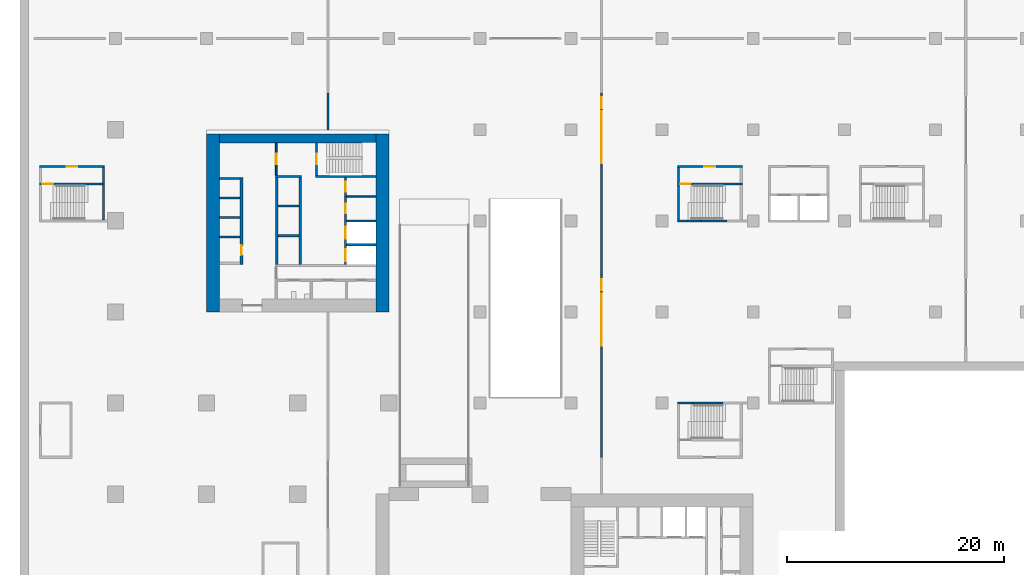
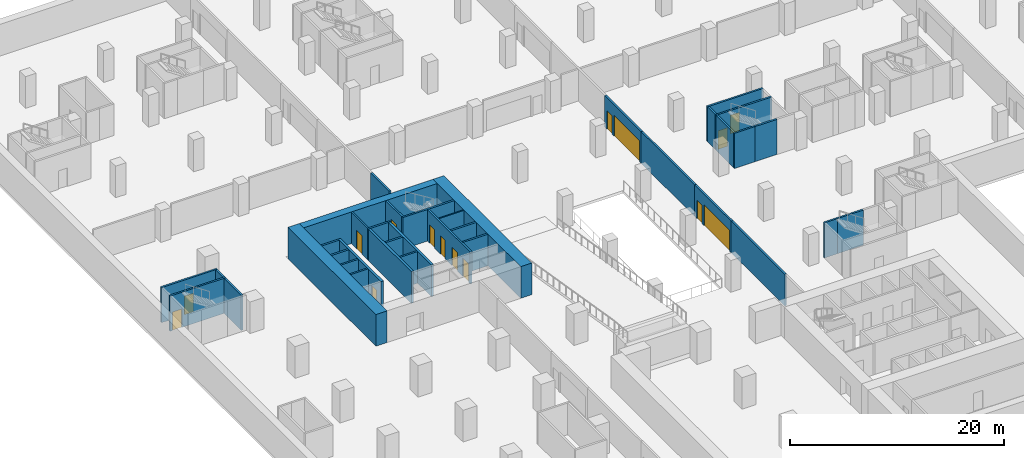
# One storey, part 6 of 18: 37 walls, 15 doors, 15 openings.
"""IFC4 building model written with IfcOpenShell, lengths in metres."""

from ifc_helpers import new_model, si_unit, direction, frame, frame_2d, origin, place, context, subcontext, project, spatial, rectangle, extrude, material, layer, layer_set, type_object, element, fill, save


model = new_model("IFC4")

# Units and contexts
model_context = context("Model", 3, precision=1e-05, world=origin(), true_north=direction((0.0, 1.0)))
body_context = subcontext(model_context, "Body", "Model", "MODEL_VIEW")
ifc_project = project(units=[si_unit("LENGTHUNIT", "METRE"), si_unit("AREAUNIT", "SQUARE_METRE"), si_unit("VOLUMEUNIT", "CUBIC_METRE"), si_unit("PLANEANGLEUNIT", "RADIAN"), si_unit("MASSUNIT", "GRAM", prefix="KILO")], contexts=[model_context])

# Site, building, storey
site_placement = place(None, origin())
site = spatial("IfcSite", under=ifc_project, at=site_placement, CompositionType="ELEMENT")
building_placement = place(site_placement, origin())
building = spatial("IfcBuilding", under=site, at=building_placement, Name="Vermilion Gate Residences", CompositionType="ELEMENT")
storey_placement = place(building_placement, frame((0.0, 0.0, -4.0)))
storey = spatial("IfcBuildingStorey", under=building, at=storey_placement, Name="B1", CompositionType="ELEMENT", Elevation=-4.0)

# Wall
ifc_material_1 = material(Name="Masonry blockwork", Category="masonry")
ifc_layer_1 = layer(ifc_material_1, 0.14990234375)
ifc_layer_set_1 = layer_set([ifc_layer_1], Name="BLOCKWORK PARTITION 150 EI 120")
wall_type_1 = type_object("IfcWallType", Name="BLOCKWORK PARTITION 150 EI 120", PredefinedType="PARTITIONING", material=ifc_layer_set_1)
wall_1_placement = place(storey_placement, frame((21.300048828125, 52.637451171875, 0.0), z_axis=(0.0, 0.0, 1.0), x_axis=(1.0, 0.0, 0.0)))
element("IfcWall", 1, at=wall_1_placement, inside=storey, type_object=wall_type_1, Name="Core room partition BB1-NR-P0", PredefinedType="PARTITIONING", context=body_context, shape_type="SweptSolid", body=[
    extrude(rectangle(XDim=2.699951171875, YDim=0.14990234375, at=frame_2d((1.35009765625, 0.0))), origin(), (0.0, 0.0, 1.0), 3.60009765625),
])

# Wall, opening, door
wall_2_placement = place(storey_placement, frame((14.824951171875, 57.60009765625, 0.0), z_axis=(0.0, 0.0, 1.0), x_axis=(0.0, -1.0, 0.0)))
wall_2 = element("IfcWall", 2, at=wall_2_placement, inside=storey, type_object=wall_type_1, Name="Core room partition BB1-VW-S", PredefinedType="PARTITIONING", context=body_context, shape_type="SweptSolid", body=[
    extrude(rectangle(XDim=3.0, YDim=0.14990234375, at=frame_2d((1.5, 0.0))), origin(), (0.0, 0.0, 1.0), 3.60009765625),
])
opening_1_placement = place(wall_2_placement, frame((1.0, 0.0, 0.0)))
opening_1 = element("IfcOpeningElement", 3, at=opening_1_placement, cuts=wall_2, Name="Opening DKB1107", PredefinedType="OPENING", context=body_context, shape_type="SweptSolid", body=[
    extrude(rectangle(XDim=1.0, YDim=2.10009765625, at=frame_2d((0.5, 1.050048828125))), frame((0.0, 0.0849609375, 0.0), z_axis=(0.0, -1.0, 0.0), x_axis=(1.0, 0.0, 0.0)), (0.0, 0.0, 1.0), 0.169921875),
])
ifc_material_2 = material(Name="Steel", Category="steel")
door_type_1 = type_object("IfcDoorType", Name="FIRE DOOR FD60 1000 X 2100", OperationType="SINGLE_SWING_LEFT", PredefinedType="DOOR", material=ifc_material_2)
door_1_placement = place(opening_1_placement, frame((1.0, 0.0, 0.0), z_axis=(0.0, 0.0, 1.0), x_axis=(-1.0, 0.0, 0.0)))
door_1 = element("IfcDoor", 4, at=door_1_placement, inside=storey, type_object=door_type_1, Name="Stair vestibule door BB1", OperationType="SINGLE_SWING_RIGHT", OverallHeight=2.10009765625, OverallWidth=1.0, PredefinedType="DOOR", context=body_context, shape_type="SweptSolid", body=[
    extrude(rectangle(XDim=1.0, YDim=2.10009765625, at=frame_2d((0.5, 1.050048828125))), frame((0.0, 0.02490234375, 0.0), z_axis=(0.0, -1.0, 0.0), x_axis=(1.0, 0.0, 0.0)), (0.0, 0.0, 1.0), 0.050048828125),
])
fill(opening_1, door_1)

# Walls
ifc_material_3 = material(Name="Concrete blockwork", Category="masonry")
ifc_layer_2 = layer(ifc_material_3, 0.199951171875)
ifc_layer_set_2 = layer_set([ifc_layer_2], Name="GARAGE FIRE WALL 200 EI 120 (AMENITY)")
wall_type_2 = type_object("IfcWallType", Name="GARAGE FIRE WALL 200 EI 120 (AMENITY)", PredefinedType="PARTITIONING", material=ifc_layer_set_2)
wall_3_placement = place(storey_placement, frame((19.60009765625, 58.800048828125, 0.0), z_axis=(0.0, 0.0, 1.0), x_axis=(0.0, 1.0, 0.0)))
element("IfcWall", 5, at=wall_3_placement, inside=storey, type_object=wall_type_2, Name="Fire compartment wall", PredefinedType="PARTITIONING", context=body_context, shape_type="SweptSolid", body=[
    extrude(rectangle(XDim=3.39990234375, YDim=0.199951171875, at=frame_2d((1.699951171875, 0.0))), origin(), (0.0, 0.0, 1.0), 3.60009765625),
])
wall_4_placement = place(storey_placement, frame((44.800048828125, 28.60009765625, 0.0), z_axis=(0.0, 0.0, 1.0), x_axis=(0.0, 1.0, 0.0)))
element("IfcWall", 6, at=wall_4_placement, inside=storey, type_object=wall_type_2, Name="Fire compartment wall", PredefinedType="PARTITIONING", context=body_context, shape_type="SweptSolid", body=[
    extrude(rectangle(XDim=10.0, YDim=0.199951171875, at=frame_2d((5.0, 0.0))), origin(), (0.0, 0.0, 1.0), 3.60009765625),
])

# Wall, openings, doors
wall_5_placement = place(storey_placement, frame((44.800048828125, 38.60009765625, 0.0), z_axis=(0.0, 0.0, 1.0), x_axis=(0.0, 1.0, 0.0)))
wall_5 = element("IfcWall", 7, at=wall_5_placement, inside=storey, type_object=wall_type_2, Name="Fire compartment wall", PredefinedType="PARTITIONING", context=body_context, shape_type="SweptSolid", body=[
    extrude(rectangle(XDim=6.7998046875, YDim=0.199951171875, at=frame_2d((3.39990234375, 0.0))), origin(), (0.0, 0.0, 1.0), 3.60009765625),
])
opening_2_placement = place(wall_5_placement, frame((0.300048828125, 0.0, 0.0)))
opening_2 = element("IfcOpeningElement", 8, at=opening_2_placement, cuts=wall_5, Name="Opening DGB1009", PredefinedType="OPENING", context=body_context, shape_type="SweptSolid", body=[
    extrude(rectangle(XDim=4.800048828125, YDim=2.39990234375, at=frame_2d((2.39990234375, 1.199951171875))), frame((0.0, 0.10986328125, 0.0), z_axis=(0.0, -1.0, 0.0), x_axis=(1.0, 0.0, 0.0)), (0.0, 0.0, 1.0), 0.219970703125),
])
opening_3_placement = place(wall_5_placement, frame((5.39990234375, 0.0, 0.0)))
opening_3 = element("IfcOpeningElement", 9, at=opening_3_placement, cuts=wall_5, Name="Opening DGB1010", PredefinedType="OPENING", context=body_context, shape_type="SweptSolid", body=[
    extrude(rectangle(XDim=1.0, YDim=2.10009765625, at=frame_2d((0.5, 1.050048828125))), frame((0.0, 0.10986328125, 0.0), z_axis=(0.0, -1.0, 0.0), x_axis=(1.0, 0.0, 0.0)), (0.0, 0.0, 1.0), 0.219970703125),
])
ifc_material_4 = material(Name="Steel", Category="steel")
door_type_2 = type_object("IfcDoorType", Name="DOOR 1000 X 2100 FD120 (AMENITY)", OperationType="SINGLE_SWING_LEFT", PredefinedType="DOOR", material=ifc_material_4)
door_2_placement = place(opening_3_placement, frame((1.0, 0.0, 0.0), z_axis=(0.0, 0.0, 1.0), x_axis=(-1.0, 0.0, 0.0)))
door_2 = element("IfcDoor", 10, at=door_2_placement, inside=storey, type_object=door_type_2, Name="Fire door", OperationType="SINGLE_SWING_RIGHT", OverallHeight=2.10009765625, OverallWidth=1.0, PredefinedType="DOOR", context=body_context, shape_type="SweptSolid", body=[
    extrude(rectangle(XDim=1.0, YDim=2.10009765625, at=frame_2d((0.5, 1.050048828125))), frame((0.0, 0.02490234375, 0.0), z_axis=(0.0, -1.0, 0.0), x_axis=(1.0, 0.0, 0.0)), (0.0, 0.0, 1.0), 0.050048828125),
])
fill(opening_3, door_2)
ifc_material_5 = material(Name="Steel", Category="steel")
door_type_3 = type_object("IfcDoorType", Name="FIRE SHUTTER 4800 X 2400 (AMENITY)", OperationType="ROLLINGUP", PredefinedType="GATE", material=ifc_material_5)
door_3_placement = place(opening_2_placement, origin())
door_3 = element("IfcDoor", 11, at=door_3_placement, inside=storey, type_object=door_type_3, Name="Fire shutter", OperationType="ROLLINGUP", OverallHeight=2.39990234375, OverallWidth=4.800048828125, PredefinedType="GATE", context=body_context, shape_type="SweptSolid", body=[
    extrude(rectangle(XDim=4.800048828125, YDim=2.39990234375, at=frame_2d((2.39990234375, 1.199951171875))), frame((0.0, 0.02490234375, 0.0), z_axis=(0.0, -1.0, 0.0), x_axis=(1.0, 0.0, 0.0)), (0.0, 0.0, 1.0), 0.050048828125),
])
fill(opening_2, door_3)

# Wall
wall_6_placement = place(storey_placement, frame((44.800048828125, 45.39990234375, 0.0), z_axis=(0.0, 0.0, 1.0), x_axis=(0.0, 1.0, 0.0)))
element("IfcWall", 12, at=wall_6_placement, inside=storey, type_object=wall_type_2, Name="Fire compartment wall", PredefinedType="PARTITIONING", context=body_context, shape_type="SweptSolid", body=[
    extrude(rectangle(XDim=10.0, YDim=0.199951171875, at=frame_2d((5.0, 0.0))), origin(), (0.0, 0.0, 1.0), 3.60009765625),
])

# Wall, openings, doors
wall_7_placement = place(storey_placement, frame((44.800048828125, 55.39990234375, 0.0), z_axis=(0.0, 0.0, 1.0), x_axis=(0.0, 1.0, 0.0)))
wall_7 = element("IfcWall", 13, at=wall_7_placement, inside=storey, type_object=wall_type_2, Name="Fire compartment wall", PredefinedType="PARTITIONING", context=body_context, shape_type="SweptSolid", body=[
    extrude(rectangle(XDim=6.800048828125, YDim=0.199951171875, at=frame_2d((3.39990234375, 0.0))), origin(), (0.0, 0.0, 1.0), 3.60009765625),
])
opening_4_placement = place(wall_7_placement, frame((0.300048828125, 0.0, 0.0)))
opening_4 = element("IfcOpeningElement", 14, at=opening_4_placement, cuts=wall_7, Name="Opening DGB1011", PredefinedType="OPENING", context=body_context, shape_type="SweptSolid", body=[
    extrude(rectangle(XDim=4.800048828125, YDim=2.39990234375, at=frame_2d((2.39990234375, 1.199951171875))), frame((0.0, 0.10986328125, 0.0), z_axis=(0.0, -1.0, 0.0), x_axis=(1.0, 0.0, 0.0)), (0.0, 0.0, 1.0), 0.219970703125),
])
opening_5_placement = place(wall_7_placement, frame((5.39990234375, 0.0, 0.0)))
opening_5 = element("IfcOpeningElement", 15, at=opening_5_placement, cuts=wall_7, Name="Opening DGB1012", PredefinedType="OPENING", context=body_context, shape_type="SweptSolid", body=[
    extrude(rectangle(XDim=1.0, YDim=2.10009765625, at=frame_2d((0.5, 1.050048828125))), frame((0.0, 0.10986328125, 0.0), z_axis=(0.0, -1.0, 0.0), x_axis=(1.0, 0.0, 0.0)), (0.0, 0.0, 1.0), 0.219970703125),
])
door_4_placement = place(opening_5_placement, frame((1.0, 0.0, 0.0), z_axis=(0.0, 0.0, 1.0), x_axis=(-1.0, 0.0, 0.0)))
door_4 = element("IfcDoor", 16, at=door_4_placement, inside=storey, type_object=door_type_2, Name="Fire door", OperationType="SINGLE_SWING_RIGHT", OverallHeight=2.10009765625, OverallWidth=1.0, PredefinedType="DOOR", context=body_context, shape_type="SweptSolid", body=[
    extrude(rectangle(XDim=1.0, YDim=2.10009765625, at=frame_2d((0.5, 1.050048828125))), frame((0.0, 0.02490234375, 0.0), z_axis=(0.0, -1.0, 0.0), x_axis=(1.0, 0.0, 0.0)), (0.0, 0.0, 1.0), 0.050048828125),
])
fill(opening_5, door_4)
door_5_placement = place(opening_4_placement, origin())
door_5 = element("IfcDoor", 17, at=door_5_placement, inside=storey, type_object=door_type_3, Name="Fire shutter", OperationType="ROLLINGUP", OverallHeight=2.39990234375, OverallWidth=4.800048828125, PredefinedType="GATE", context=body_context, shape_type="SweptSolid", body=[
    extrude(rectangle(XDim=4.800048828125, YDim=2.39990234375, at=frame_2d((2.39990234375, 1.199951171875))), frame((0.0, 0.02490234375, 0.0), z_axis=(0.0, -1.0, 0.0), x_axis=(1.0, 0.0, 0.0)), (0.0, 0.0, 1.0), 0.050048828125),
])
fill(opening_4, door_5)

# Walls
ifc_material_6 = material(Name="Concrete C60", Category="concrete")
ifc_layer_3 = layer(ifc_material_6, 0.199951171875)
ifc_layer_set_3 = layer_set([ifc_layer_3], Name="RC CORE INTERNAL WALL 200 C60")
wall_type_3 = type_object("IfcWallType", Name="RC CORE INTERNAL WALL 200 C60", PredefinedType="SHEAR", material=ifc_layer_set_3)
for number, where, z_axis, x_axis, name in (
    (18, (9.60009765625, 54.300048828125, 0.0), (0.0, 0.0, 1.0), (1.0, 0.0, 0.0), "Core internal wall BB1-LR-D0"),
    (19, (9.60009765625, 52.5, 0.0), (0.0, 0.0, 1.0), (1.0, 0.0, 0.0), "Core internal wall BB1-LR-D1"),
    (20, (9.60009765625, 50.699951171875, 0.0), (0.0, 0.0, 1.0), (1.0, 0.0, 0.0), "Core internal wall BB1-LR-D2"),
    (21, (9.60009765625, 48.89990234375, 0.0), (0.0, 0.0, 1.0), (1.0, 0.0, 0.0), "Core internal wall BB1-LR-D3"),
    (22, (15.0, 51.7666015625, 0.0), (0.0, 0.0, 1.0), (1.0, 0.0, 0.0), "Core internal wall BB1-HR-D1"),
    (23, (15.0, 49.033447265625, 0.0), (0.0, 0.0, 1.0), (1.0, 0.0, 0.0), "Core internal wall BB1-HR-D2"),
):
    element("IfcWall", number, at=place(storey_placement, frame(where, z_axis=z_axis, x_axis=x_axis)), inside=storey, type_object=wall_type_3, Name=name, PredefinedType="SHEAR", context=body_context, shape_type="SweptSolid", body=[
        extrude(rectangle(XDim=1.89990234375, YDim=0.199951171875, at=frame_2d((0.949951171875, 0.0))), origin(), (0.0, 0.0, 1.0), 3.60009765625),
    ])
for number, where, z_axis, x_axis, name in (
    (24, (21.300048828125, 50.39990234375, 0.0), (0.0, 0.0, 1.0), (1.0, 0.0, 0.0), "Core internal wall BB1-FF-D0"),
    (25, (21.300048828125, 48.199951171875, 0.0), (0.0, 0.0, 1.0), (1.0, 0.0, 0.0), "Core internal wall BB1-FF-D1"),
):
    element("IfcWall", number, at=place(storey_placement, frame(where, z_axis=z_axis, x_axis=x_axis)), inside=storey, type_object=wall_type_3, Name=name, PredefinedType="SHEAR", context=body_context, shape_type="SweptSolid", body=[
        extrude(rectangle(XDim=2.699951171875, YDim=0.199951171875, at=frame_2d((1.35009765625, 0.0))), origin(), (0.0, 0.0, 1.0), 3.60009765625),
    ])

# Wall, openings, doors
wall_8_placement = place(storey_placement, frame((21.199951171875, 54.39990234375, 0.0), z_axis=(0.0, 0.0, 1.0), x_axis=(0.0, -1.0, 0.0)))
wall_8 = element("IfcWall", 26, at=wall_8_placement, inside=storey, type_object=wall_type_3, Name="Core internal wall BB1-FF-F", PredefinedType="SHEAR", context=body_context, shape_type="SweptSolid", body=[
    extrude(rectangle(XDim=8.0, YDim=0.199951171875, at=frame_2d((4.0, 0.0))), origin(), (0.0, 0.0, 1.0), 3.60009765625),
])
opening_6_placement = place(wall_8_placement, frame((0.393798828125, 0.0, 0.0)))
opening_6 = element("IfcOpeningElement", 27, at=opening_6_placement, cuts=wall_8, Name="Opening DKB1103", PredefinedType="OPENING", context=body_context, shape_type="SweptSolid", body=[
    extrude(rectangle(XDim=0.89990234375, YDim=2.10009765625, at=frame_2d((0.449951171875, 1.050048828125))), frame((0.0, 0.10986328125, 0.0), z_axis=(0.0, -1.0, 0.0), x_axis=(1.0, 0.0, 0.0)), (0.0, 0.0, 1.0), 0.219970703125),
])
opening_7_placement = place(wall_8_placement, frame((2.418701171875, 0.0, 0.0)))
opening_7 = element("IfcOpeningElement", 28, at=opening_7_placement, cuts=wall_8, Name="Opening DKB1104", PredefinedType="OPENING", context=body_context, shape_type="SweptSolid", body=[
    extrude(rectangle(XDim=0.89990234375, YDim=2.10009765625, at=frame_2d((0.449951171875, 1.050048828125))), frame((0.0, 0.10986328125, 0.0), z_axis=(0.0, -1.0, 0.0), x_axis=(1.0, 0.0, 0.0)), (0.0, 0.0, 1.0), 0.219970703125),
])
opening_8_placement = place(wall_8_placement, frame((4.550048828125, 0.0, 0.0)))
opening_8 = element("IfcOpeningElement", 29, at=opening_8_placement, cuts=wall_8, Name="Opening LD", PredefinedType="OPENING", context=body_context, shape_type="SweptSolid", body=[
    extrude(rectangle(XDim=1.10009765625, YDim=2.10009765625, at=frame_2d((0.550048828125, 1.050048828125))), frame((0.0, 0.10986328125, 0.0), z_axis=(0.0, -1.0, 0.0), x_axis=(1.0, 0.0, 0.0)), (0.0, 0.0, 1.0), 0.219970703125),
])
opening_9_placement = place(wall_8_placement, frame((6.60009765625, 0.0, 0.0)))
opening_9 = element("IfcOpeningElement", 30, at=opening_9_placement, cuts=wall_8, Name="Opening LD", PredefinedType="OPENING", context=body_context, shape_type="SweptSolid", body=[
    extrude(rectangle(XDim=1.10009765625, YDim=2.10009765625, at=frame_2d((0.550048828125, 1.050048828125))), frame((0.0, 0.10986328125, 0.0), z_axis=(0.0, -1.0, 0.0), x_axis=(1.0, 0.0, 0.0)), (0.0, 0.0, 1.0), 0.219970703125),
])
ifc_material_7 = material(Name="Stainless steel", Category="steel")
door_type_4 = type_object("IfcDoorType", Name="LIFT LANDING DOOR E60 1100 X 2100", OperationType="DOUBLE_DOOR_SLIDING", PredefinedType="DOOR", material=ifc_material_7)
door_6_placement = place(opening_8_placement, origin())
door_6 = element("IfcDoor", 31, at=door_6_placement, inside=storey, type_object=door_type_4, Name="Lift landing door LFB1", OperationType="DOUBLE_DOOR_SLIDING", OverallHeight=2.10009765625, OverallWidth=1.10009765625, PredefinedType="DOOR", context=body_context, shape_type="SweptSolid", body=[
    extrude(rectangle(XDim=1.10009765625, YDim=2.10009765625, at=frame_2d((0.550048828125, 1.050048828125))), frame((0.0, 0.02490234375, 0.0), z_axis=(0.0, -1.0, 0.0), x_axis=(1.0, 0.0, 0.0)), (0.0, 0.0, 1.0), 0.050048828125),
])
fill(opening_8, door_6)
door_7_placement = place(opening_9_placement, origin())
door_7 = element("IfcDoor", 32, at=door_7_placement, inside=storey, type_object=door_type_4, Name="Lift landing door LCB1", OperationType="DOUBLE_DOOR_SLIDING", OverallHeight=2.10009765625, OverallWidth=1.10009765625, PredefinedType="DOOR", context=body_context, shape_type="SweptSolid", body=[
    extrude(rectangle(XDim=1.10009765625, YDim=2.10009765625, at=frame_2d((0.550048828125, 1.050048828125))), frame((0.0, 0.02490234375, 0.0), z_axis=(0.0, -1.0, 0.0), x_axis=(1.0, 0.0, 0.0)), (0.0, 0.0, 1.0), 0.050048828125),
])
fill(opening_9, door_7)
ifc_material_8 = material(Name="Steel", Category="steel")
door_type_5 = type_object("IfcDoorType", Name="SERVICE ROOM DOOR FD60 900 X 2100", OperationType="SINGLE_SWING_LEFT", PredefinedType="DOOR", material=ifc_material_8)
door_8_placement = place(opening_6_placement, origin())
door_8 = element("IfcDoor", 33, at=door_8_placement, inside=storey, type_object=door_type_5, Name="Electrical riser BB1", OperationType="SINGLE_SWING_RIGHT", OverallHeight=2.10009765625, OverallWidth=0.89990234375, PredefinedType="DOOR", context=body_context, shape_type="SweptSolid", body=[
    extrude(rectangle(XDim=0.89990234375, YDim=2.10009765625, at=frame_2d((0.449951171875, 1.050048828125))), frame((0.0, 0.02490234375, 0.0), z_axis=(0.0, -1.0, 0.0), x_axis=(1.0, 0.0, 0.0)), (0.0, 0.0, 1.0), 0.050048828125),
])
fill(opening_6, door_8)
door_9_placement = place(opening_7_placement, origin())
door_9 = element("IfcDoor", 34, at=door_9_placement, inside=storey, type_object=door_type_5, Name="Cleaner's store BB1", OperationType="SINGLE_SWING_RIGHT", OverallHeight=2.10009765625, OverallWidth=0.89990234375, PredefinedType="DOOR", context=body_context, shape_type="SweptSolid", body=[
    extrude(rectangle(XDim=0.89990234375, YDim=2.10009765625, at=frame_2d((0.449951171875, 1.050048828125))), frame((0.0, 0.02490234375, 0.0), z_axis=(0.0, -1.0, 0.0), x_axis=(1.0, 0.0, 0.0)), (0.0, 0.0, 1.0), 0.050048828125),
])
fill(opening_7, door_9)

# Walls
wall_9_placement = place(storey_placement, frame((14.75, 54.5, 0.0), z_axis=(0.0, 0.0, 1.0), x_axis=(1.0, 0.0, 0.0)))
element("IfcWall", 35, at=wall_9_placement, inside=storey, type_object=wall_type_3, Name="Core internal wall BB1-WDIV1", PredefinedType="SHEAR", context=body_context, shape_type="SweptSolid", body=[
    extrude(rectangle(XDim=2.39990234375, YDim=0.199951171875, at=frame_2d((1.199951171875, 0.0))), origin(), (0.0, 0.0, 1.0), 3.60009765625),
])
wall_10_placement = place(storey_placement, frame((18.449951171875, 54.5, 0.0), z_axis=(0.0, 0.0, 1.0), x_axis=(1.0, 0.0, 0.0)))
element("IfcWall", 36, at=wall_10_placement, inside=storey, type_object=wall_type_3, Name="Core internal wall BB1-WDIV2", PredefinedType="SHEAR", context=body_context, shape_type="SweptSolid", body=[
    extrude(rectangle(XDim=5.550048828125, YDim=0.199951171875, at=frame_2d((2.77490234375, 0.0))), origin(), (0.0, 0.0, 1.0), 3.60009765625),
])

# Wall, opening, door
wall_11_placement = place(storey_placement, frame((18.550048828125, 57.60009765625, 0.0), z_axis=(0.0, 0.0, 1.0), x_axis=(0.0, -1.0, 0.0)))
wall_11 = element("IfcWall", 37, at=wall_11_placement, inside=storey, type_object=wall_type_3, Name="Core internal wall BB1-STW-S", PredefinedType="SHEAR", context=body_context, shape_type="SweptSolid", body=[
    extrude(rectangle(XDim=3.0, YDim=0.199951171875, at=frame_2d((1.5, 0.0))), origin(), (0.0, 0.0, 1.0), 3.60009765625),
])
opening_10_placement = place(wall_11_placement, frame((1.0, 0.0, 0.0)))
opening_10 = element("IfcOpeningElement", 38, at=opening_10_placement, cuts=wall_11, Name="Opening DKB1108", PredefinedType="OPENING", context=body_context, shape_type="SweptSolid", body=[
    extrude(rectangle(XDim=1.0, YDim=2.10009765625, at=frame_2d((0.5, 1.050048828125))), frame((0.0, 0.10986328125, 0.0), z_axis=(0.0, -1.0, 0.0), x_axis=(1.0, 0.0, 0.0)), (0.0, 0.0, 1.0), 0.219970703125),
])
door_10_placement = place(opening_10_placement, origin())
door_10 = element("IfcDoor", 39, at=door_10_placement, inside=storey, type_object=door_type_1, Name="Stair door BB1", OperationType="SINGLE_SWING_LEFT", OverallHeight=2.10009765625, OverallWidth=1.0, PredefinedType="DOOR", context=body_context, shape_type="SweptSolid", body=[
    extrude(rectangle(XDim=1.0, YDim=2.10009765625, at=frame_2d((0.5, 1.050048828125))), frame((0.0, 0.02490234375, 0.0), z_axis=(0.0, -1.0, 0.0), x_axis=(1.0, 0.0, 0.0)), (0.0, 0.0, 1.0), 0.050048828125),
])
fill(opening_10, door_10)

# Walls
ifc_material_9 = material(Name="Concrete C80", Category="concrete")
ifc_layer_4 = layer(ifc_material_9, 1.199951171875)
ifc_layer_set_4 = layer_set([ifc_layer_4], Name="RC CORE WALL 1200 C80")
wall_type_4 = type_object("IfcWallType", Name="RC CORE WALL 1200 C80", PredefinedType="SHEAR", material=ifc_layer_set_4)
for number, where, z_axis, x_axis, name in (
    (40, (9.0, 58.39990234375, 0.0), (0.0, 0.0, 1.0), (0.0, -1.0, 0.0), "Core wall BB1-OUT-B0"),
    (41, (24.60009765625, 58.39990234375, 0.0), (0.0, 0.0, 1.0), (0.0, -1.0, 0.0), "Core wall BB1-OUT-B1"),
):
    element("IfcWall", number, at=place(storey_placement, frame(where, z_axis=z_axis, x_axis=x_axis)), inside=storey, type_object=wall_type_4, Name=name, PredefinedType="SHEAR", context=body_context, shape_type="SweptSolid", body=[
        extrude(rectangle(XDim=16.39990234375, YDim=1.199951171875, at=frame_2d((8.199951171875, 0.0))), origin(), (0.0, 0.0, 1.0), 3.60009765625),
    ])
ifc_material_10 = material(Name="Concrete C80", Category="concrete")
ifc_layer_5 = layer(ifc_material_10, 0.800048828125)
ifc_layer_set_5 = layer_set([ifc_layer_5], Name="RC CORE WALL 800 C80")
wall_type_5 = type_object("IfcWallType", Name="RC CORE WALL 800 C80", PredefinedType="SHEAR", material=ifc_layer_set_5)
wall_12_placement = place(storey_placement, frame((9.60009765625, 58.0, 0.0), z_axis=(0.0, 0.0, 1.0), x_axis=(1.0, 0.0, 0.0)))
element("IfcWall", 42, at=wall_12_placement, inside=storey, type_object=wall_type_5, Name="Core wall BB1-OUT-FR", PredefinedType="SHEAR", context=body_context, shape_type="SweptSolid", body=[
    extrude(rectangle(XDim=14.39990234375, YDim=0.800048828125, at=frame_2d((7.199951171875, 0.0))), origin(), (0.0, 0.0, 1.0), 3.60009765625),
])

# Wall, opening, door
ifc_material_11 = material(Name="Concrete C60", Category="concrete")
ifc_layer_6 = layer(ifc_material_11, 0.25)
ifc_layer_set_6 = layer_set([ifc_layer_6], Name="RC LIFT SHAFT WALL 250 C60")
wall_type_6 = type_object("IfcWallType", Name="RC LIFT SHAFT WALL 250 C60", PredefinedType="SHEAR", material=ifc_layer_set_6)
wall_13_placement = place(storey_placement, frame((11.625, 54.39990234375, 0.0), z_axis=(0.0, 0.0, 1.0), x_axis=(0.0, -1.0, 0.0)))
wall_13 = element("IfcWall", 43, at=wall_13_placement, inside=storey, type_object=wall_type_6, Name="Lift shaft wall BB1-LR-F", PredefinedType="SHEAR", context=body_context, shape_type="SweptSolid", body=[
    extrude(rectangle(XDim=8.0, YDim=0.25, at=frame_2d((4.0, 0.0))), origin(), (0.0, 0.0, 1.0), 3.60009765625),
])
opening_11_placement = place(wall_13_placement, frame((6.25, 0.0, 0.0)))
opening_11 = element("IfcOpeningElement", 44, at=opening_11_placement, cuts=wall_13, Name="Opening DKB1102", PredefinedType="OPENING", context=body_context, shape_type="SweptSolid", body=[
    extrude(rectangle(XDim=0.89990234375, YDim=2.10009765625, at=frame_2d((0.449951171875, 1.050048828125))), frame((0.0, 0.135009765625, 0.0), z_axis=(0.0, -1.0, 0.0), x_axis=(1.0, 0.0, 0.0)), (0.0, 0.0, 1.0), 0.27001953125),
])
door_11_placement = place(opening_11_placement, frame((0.89990234375, 0.0, 0.0), z_axis=(0.0, 0.0, 1.0), x_axis=(-1.0, 0.0, 0.0)))
door_11 = element("IfcDoor", 45, at=door_11_placement, inside=storey, type_object=door_type_5, Name="Cleaner's store BB1", OperationType="SINGLE_SWING_RIGHT", OverallHeight=2.10009765625, OverallWidth=0.89990234375, PredefinedType="DOOR", context=body_context, shape_type="SweptSolid", body=[
    extrude(rectangle(XDim=0.89990234375, YDim=2.10009765625, at=frame_2d((0.449951171875, 1.050048828125))), frame((0.0, 0.02490234375, 0.0), z_axis=(0.0, -1.0, 0.0), x_axis=(1.0, 0.0, 0.0)), (0.0, 0.0, 1.0), 0.050048828125),
])
fill(opening_11, door_11)

# Walls
for number, where, z_axis, x_axis, name in (
    (46, (14.875, 54.39990234375, 0.0), (0.0, 0.0, 1.0), (0.0, -1.0, 0.0), "Lift shaft wall BB1-HR-F"),
    (47, (17.02490234375, 54.39990234375, 0.0), (0.0, 0.0, 1.0), (0.0, -1.0, 0.0), "Lift shaft wall BB1-HR-B"),
):
    element("IfcWall", number, at=place(storey_placement, frame(where, z_axis=z_axis, x_axis=x_axis)), inside=storey, type_object=wall_type_6, Name=name, PredefinedType="SHEAR", context=body_context, shape_type="SweptSolid", body=[
        extrude(rectangle(XDim=8.0, YDim=0.25, at=frame_2d((4.0, 0.0))), origin(), (0.0, 0.0, 1.0), 3.60009765625),
    ])

# Wall, opening, door
ifc_material_12 = material(Name="Concrete C40", Category="concrete")
ifc_layer_7 = layer(ifc_material_12, 0.199951171875)
ifc_layer_set_7 = layer_set([ifc_layer_7], Name="RC STAIR AND SHAFT WALL 200 EI 180 C40 (AMENITY)")
wall_type_7 = type_object("IfcWallType", Name="RC STAIR AND SHAFT WALL 200 EI 180 C40 (AMENITY)", PredefinedType="SOLIDWALL", material=ifc_layer_set_7)
wall_14_placement = place(storey_placement, frame((-7.0, 53.800048828125, 0.0), z_axis=(0.0, 0.0, 1.0), x_axis=(1.0, 0.0, 0.0)))
wall_14 = element("IfcWall", 48, at=wall_14_placement, inside=storey, type_object=wall_type_7, Name="Stair and shaft wall 12", PredefinedType="SOLIDWALL", context=body_context, shape_type="SweptSolid", body=[
    extrude(rectangle(XDim=6.0, YDim=0.199951171875, at=frame_2d((3.0, 0.0))), origin(), (0.0, 0.0, 1.0), 4.0),
])
opening_12_placement = place(wall_14_placement, frame((0.25, 0.0, 0.0)))
opening_12 = element("IfcOpeningElement", 49, at=opening_12_placement, cuts=wall_14, Name="Opening DMB1008", PredefinedType="OPENING", context=body_context, shape_type="SweptSolid", body=[
    extrude(rectangle(XDim=1.0, YDim=2.10009765625, at=frame_2d((0.5, 1.050048828125))), frame((0.0, 0.10986328125, 0.0), z_axis=(0.0, -1.0, 0.0), x_axis=(1.0, 0.0, 0.0)), (0.0, 0.0, 1.0), 0.219970703125),
])
ifc_material_13 = material(Name="Steel", Category="steel")
door_type_6 = type_object("IfcDoorType", Name="DOOR 1000 X 2100 FD60 (AMENITY)", OperationType="SINGLE_SWING_LEFT", PredefinedType="DOOR", material=ifc_material_13)
door_12_placement = place(opening_12_placement, frame((1.0, 0.0, 0.0), z_axis=(0.0, 0.0, 1.0), x_axis=(-1.0, 0.0, 0.0)))
door_12 = element("IfcDoor", 50, at=door_12_placement, inside=storey, type_object=door_type_6, Name="Door B1 8", OperationType="SINGLE_SWING_LEFT", OverallHeight=2.10009765625, OverallWidth=1.0, PredefinedType="DOOR", context=body_context, shape_type="SweptSolid", body=[
    extrude(rectangle(XDim=1.0, YDim=2.10009765625, at=frame_2d((0.5, 1.050048828125))), frame((0.0, 0.02490234375, 0.0), z_axis=(0.0, -1.0, 0.0), x_axis=(1.0, 0.0, 0.0)), (0.0, 0.0, 1.0), 0.050048828125),
])
fill(opening_12, door_12)

wall_15_placement = place(storey_placement, frame((-7.0, 55.39990234375, 0.0), z_axis=(0.0, 0.0, 1.0), x_axis=(1.0, 0.0, 0.0)))
wall_15 = element("IfcWall", 51, at=wall_15_placement, inside=storey, type_object=wall_type_7, Name="Stair and shaft wall 13", PredefinedType="SOLIDWALL", context=body_context, shape_type="SweptSolid", body=[
    extrude(rectangle(XDim=6.0, YDim=0.199951171875, at=frame_2d((3.0, 0.0))), origin(), (0.0, 0.0, 1.0), 4.0),
])
opening_13_placement = place(wall_15_placement, frame((2.5, 0.0, 0.0)))
opening_13 = element("IfcOpeningElement", 52, at=opening_13_placement, cuts=wall_15, Name="Opening DMB1007", PredefinedType="OPENING", context=body_context, shape_type="SweptSolid", body=[
    extrude(rectangle(XDim=1.0, YDim=2.10009765625, at=frame_2d((0.5, 1.050048828125))), frame((0.0, 0.10986328125, 0.0), z_axis=(0.0, -1.0, 0.0), x_axis=(1.0, 0.0, 0.0)), (0.0, 0.0, 1.0), 0.219970703125),
])
door_13_placement = place(opening_13_placement, origin())
door_13 = element("IfcDoor", 53, at=door_13_placement, inside=storey, type_object=door_type_6, Name="Door B1 7", OperationType="SINGLE_SWING_LEFT", OverallHeight=2.10009765625, OverallWidth=1.0, PredefinedType="DOOR", context=body_context, shape_type="SweptSolid", body=[
    extrude(rectangle(XDim=1.0, YDim=2.10009765625, at=frame_2d((0.5, 1.050048828125))), frame((0.0, 0.02490234375, 0.0), z_axis=(0.0, -1.0, 0.0), x_axis=(1.0, 0.0, 0.0)), (0.0, 0.0, 1.0), 0.050048828125),
])
fill(opening_13, door_13)

# Walls
wall_16_placement = place(storey_placement, frame((-1.10009765625, 50.5, 0.0), z_axis=(0.0, 0.0, 1.0), x_axis=(0.0, 1.0, 0.0)))
element("IfcWall", 54, at=wall_16_placement, inside=storey, type_object=wall_type_7, Name="Stair and shaft wall 29", PredefinedType="SOLIDWALL", context=body_context, shape_type="SweptSolid", body=[
    extrude(rectangle(XDim=3.199951171875, YDim=0.199951171875, at=frame_2d((1.60009765625, 0.0))), origin(), (0.0, 0.0, 1.0), 4.0),
])
wall_17_placement = place(storey_placement, frame((-1.10009765625, 53.89990234375, 0.0), z_axis=(0.0, 0.0, 1.0), x_axis=(0.0, 1.0, 0.0)))
element("IfcWall", 55, at=wall_17_placement, inside=storey, type_object=wall_type_7, Name="Stair and shaft wall 30", PredefinedType="SOLIDWALL", context=body_context, shape_type="SweptSolid", body=[
    extrude(rectangle(XDim=1.400146484375, YDim=0.199951171875, at=frame_2d((0.7001953125, 0.0))), origin(), (0.0, 0.0, 1.0), 4.0),
])
wall_18_placement = place(storey_placement, frame((51.800048828125, 33.60009765625, 0.0), z_axis=(0.0, 0.0, 1.0), x_axis=(1.0, 0.0, 0.0)))
element("IfcWall", 56, at=wall_18_placement, inside=storey, type_object=wall_type_7, Name="Stair and shaft wall 70", PredefinedType="SOLIDWALL", context=body_context, shape_type="SweptSolid", body=[
    extrude(rectangle(XDim=1.39990234375, YDim=0.199951171875, at=frame_2d((0.699951171875, 0.0))), origin(), (0.0, 0.0, 1.0), 4.0),
])
wall_19_placement = place(storey_placement, frame((51.89990234375, 50.5, 0.0), z_axis=(0.0, 0.0, 1.0), x_axis=(0.0, 1.0, 0.0)))
element("IfcWall", 57, at=wall_19_placement, inside=storey, type_object=wall_type_7, Name="Stair and shaft wall 71", PredefinedType="SOLIDWALL", context=body_context, shape_type="SweptSolid", body=[
    extrude(rectangle(XDim=3.199951171875, YDim=0.199951171875, at=frame_2d((1.60009765625, 0.0))), origin(), (0.0, 0.0, 1.0), 4.0),
])
wall_20_placement = place(storey_placement, frame((51.800048828125, 50.39990234375, 0.0), z_axis=(0.0, 0.0, 1.0), x_axis=(1.0, 0.0, 0.0)))
element("IfcWall", 58, at=wall_20_placement, inside=storey, type_object=wall_type_7, Name="Stair and shaft wall 72", PredefinedType="SOLIDWALL", context=body_context, shape_type="SweptSolid", body=[
    extrude(rectangle(XDim=2.199951171875, YDim=0.199951171875, at=frame_2d((1.10009765625, 0.0))), origin(), (0.0, 0.0, 1.0), 4.0),
])
wall_21_placement = place(storey_placement, frame((51.89990234375, 53.89990234375, 0.0), z_axis=(0.0, 0.0, 1.0), x_axis=(0.0, 1.0, 0.0)))
element("IfcWall", 59, at=wall_21_placement, inside=storey, type_object=wall_type_7, Name="Stair and shaft wall 73", PredefinedType="SOLIDWALL", context=body_context, shape_type="SweptSolid", body=[
    extrude(rectangle(XDim=1.400146484375, YDim=0.199951171875, at=frame_2d((0.7001953125, 0.0))), origin(), (0.0, 0.0, 1.0), 4.0),
])

# Wall, opening, door
wall_22_placement = place(storey_placement, frame((51.800048828125, 53.800048828125, 0.0), z_axis=(0.0, 0.0, 1.0), x_axis=(1.0, 0.0, 0.0)))
wall_22 = element("IfcWall", 60, at=wall_22_placement, inside=storey, type_object=wall_type_7, Name="Stair and shaft wall 74", PredefinedType="SOLIDWALL", context=body_context, shape_type="SweptSolid", body=[
    extrude(rectangle(XDim=6.0, YDim=0.199951171875, at=frame_2d((3.0, 0.0))), origin(), (0.0, 0.0, 1.0), 4.0),
])
opening_14_placement = place(wall_22_placement, frame((0.25, 0.0, 0.0)))
opening_14 = element("IfcOpeningElement", 61, at=opening_14_placement, cuts=wall_22, Name="Opening DMB1034", PredefinedType="OPENING", context=body_context, shape_type="SweptSolid", body=[
    extrude(rectangle(XDim=1.0, YDim=2.10009765625, at=frame_2d((0.5, 1.050048828125))), frame((0.0, 0.10986328125, 0.0), z_axis=(0.0, -1.0, 0.0), x_axis=(1.0, 0.0, 0.0)), (0.0, 0.0, 1.0), 0.219970703125),
])
door_14_placement = place(opening_14_placement, frame((1.0, 0.0, 0.0), z_axis=(0.0, 0.0, 1.0), x_axis=(-1.0, 0.0, 0.0)))
door_14 = element("IfcDoor", 62, at=door_14_placement, inside=storey, type_object=door_type_6, Name="Door B1 34", OperationType="SINGLE_SWING_RIGHT", OverallHeight=2.10009765625, OverallWidth=1.0, PredefinedType="DOOR", context=body_context, shape_type="SweptSolid", body=[
    extrude(rectangle(XDim=1.0, YDim=2.10009765625, at=frame_2d((0.5, 1.050048828125))), frame((0.0, 0.02490234375, 0.0), z_axis=(0.0, -1.0, 0.0), x_axis=(1.0, 0.0, 0.0)), (0.0, 0.0, 1.0), 0.050048828125),
])
fill(opening_14, door_14)

wall_23_placement = place(storey_placement, frame((51.800048828125, 55.39990234375, 0.0), z_axis=(0.0, 0.0, 1.0), x_axis=(1.0, 0.0, 0.0)))
wall_23 = element("IfcWall", 63, at=wall_23_placement, inside=storey, type_object=wall_type_7, Name="Stair and shaft wall 75", PredefinedType="SOLIDWALL", context=body_context, shape_type="SweptSolid", body=[
    extrude(rectangle(XDim=6.0, YDim=0.199951171875, at=frame_2d((3.0, 0.0))), origin(), (0.0, 0.0, 1.0), 4.0),
])
opening_15_placement = place(wall_23_placement, frame((2.5, 0.0, 0.0)))
opening_15 = element("IfcOpeningElement", 64, at=opening_15_placement, cuts=wall_23, Name="Opening DMB1033", PredefinedType="OPENING", context=body_context, shape_type="SweptSolid", body=[
    extrude(rectangle(XDim=1.0, YDim=2.10009765625, at=frame_2d((0.5, 1.050048828125))), frame((0.0, 0.10986328125, 0.0), z_axis=(0.0, -1.0, 0.0), x_axis=(1.0, 0.0, 0.0)), (0.0, 0.0, 1.0), 0.219970703125),
])
door_15_placement = place(opening_15_placement, origin())
door_15 = element("IfcDoor", 65, at=door_15_placement, inside=storey, type_object=door_type_6, Name="Door B1 33", OperationType="SINGLE_SWING_LEFT", OverallHeight=2.10009765625, OverallWidth=1.0, PredefinedType="DOOR", context=body_context, shape_type="SweptSolid", body=[
    extrude(rectangle(XDim=1.0, YDim=2.10009765625, at=frame_2d((0.5, 1.050048828125))), frame((0.0, 0.02490234375, 0.0), z_axis=(0.0, -1.0, 0.0), x_axis=(1.0, 0.0, 0.0)), (0.0, 0.0, 1.0), 0.050048828125),
])
fill(opening_15, door_15)

# Walls
wall_24_placement = place(storey_placement, frame((53.199951171875, 33.60009765625, 0.0), z_axis=(0.0, 0.0, 1.0), x_axis=(1.0, 0.0, 0.0)))
element("IfcWall", 66, at=wall_24_placement, inside=storey, type_object=wall_type_7, Name="Stair and shaft wall 81", PredefinedType="SOLIDWALL", context=body_context, shape_type="SweptSolid", body=[
    extrude(rectangle(XDim=2.800048828125, YDim=0.199951171875, at=frame_2d((1.39990234375, 0.0))), origin(), (0.0, 0.0, 1.0), 4.0),
])
wall_25_placement = place(storey_placement, frame((54.0, 50.39990234375, 0.0), z_axis=(0.0, 0.0, 1.0), x_axis=(1.0, 0.0, 0.0)))
element("IfcWall", 67, at=wall_25_placement, inside=storey, type_object=wall_type_7, Name="Stair and shaft wall 83", PredefinedType="SOLIDWALL", context=body_context, shape_type="SweptSolid", body=[
    extrude(rectangle(XDim=2.39990234375, YDim=0.199951171875, at=frame_2d((1.199951171875, 0.0))), origin(), (0.0, 0.0, 1.0), 4.0),
])

save(model, "model.ifc")
